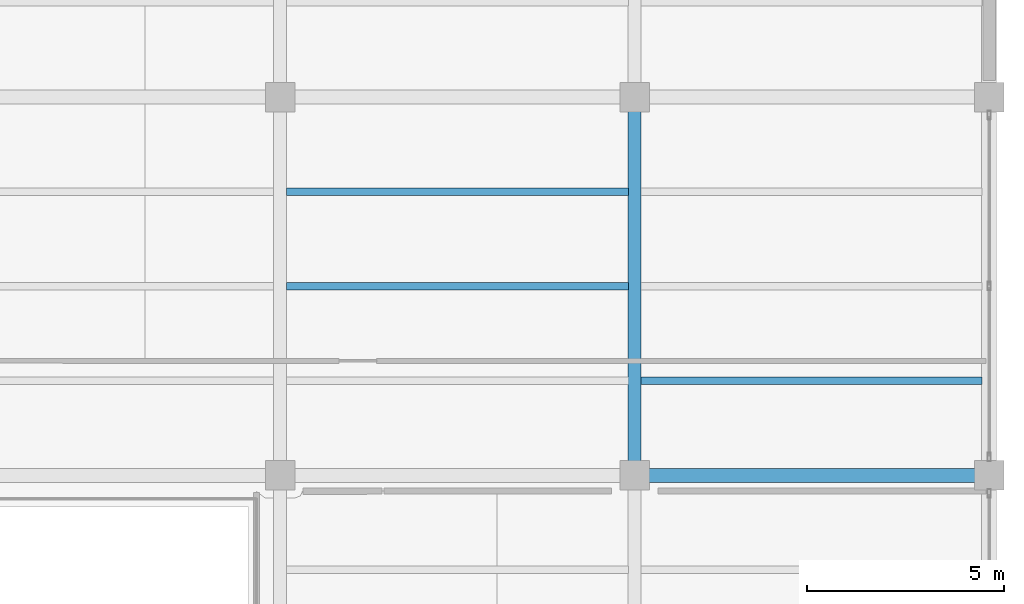
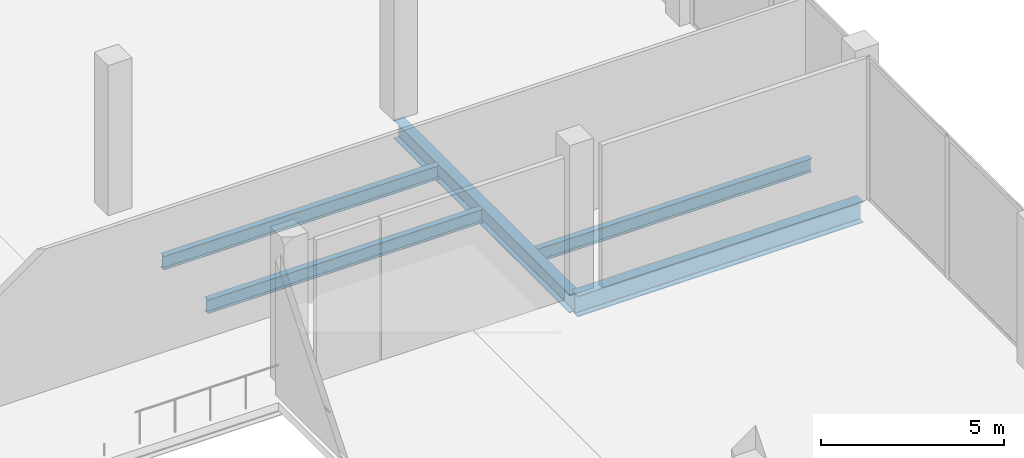
# One storey, part 21 of 47: 5 beams.
"""IFC4 building model written with IfcOpenShell, lengths in metres."""

from ifc_helpers import new_model, si_unit, direction, frame, origin, origin_2d, place, context, subcontext, project, spatial, i_section, extrude, material, material_profile, profile_set, type_object, element, save


model = new_model("IFC4")

# Units and contexts
model_context = context("Model", 3, precision=1e-05, world=origin(), true_north=direction((0.0, 1.0)))
body_context = subcontext(model_context, "Body", "Model", "MODEL_VIEW")
ifc_project = project(units=[si_unit("LENGTHUNIT", "METRE"), si_unit("AREAUNIT", "SQUARE_METRE"), si_unit("VOLUMEUNIT", "CUBIC_METRE"), si_unit("PLANEANGLEUNIT", "RADIAN"), si_unit("MASSUNIT", "GRAM", prefix="KILO")], contexts=[model_context])

# Site, building, storey
site_placement = place(None, origin())
site = spatial("IfcSite", under=ifc_project, at=site_placement, CompositionType="ELEMENT")
building_placement = place(site_placement, origin())
building = spatial("IfcBuilding", under=site, at=building_placement, Name="Qorvath Tower", CompositionType="ELEMENT")
storey_placement = place(building_placement, frame((0.0, 0.0, 12.0)))
storey = spatial("IfcBuildingStorey", under=building, at=storey_placement, Name="L02", CompositionType="ELEMENT", Elevation=12.0)

# Beams
ifc_material_1 = material(Name="Steel ASTM A992 Grade 50", Category="steel")
ifc_material_profile_1 = material_profile(ifc_material_1, i_section(OverallWidth=0.35595703125, OverallDepth=0.696044921875, WebThickness=0.015380859375, FlangeThickness=0.02490234375, FilletRadius=0.01806640625, at=origin_2d()), Name="W27x146")
ifc_profile_set_1 = profile_set([ifc_material_profile_1], Name="Steel ASTM A992 Grade 50")
beam_type_1 = type_object("IfcBeamType", Name="BM-FG4", PredefinedType="BEAM", material=ifc_profile_set_1)
beam_1_placement = place(storey_placement, frame((68.39990234375, 9.60009765625, -0.60791015625), z_axis=(1.0, 0.0, 0.0), x_axis=(0.0, 1.0, 0.0)))
element("IfcBeam", 1, at=beam_1_placement, inside=storey, type_object=beam_type_1, Name="Library E-W Girder L02-6-5", PredefinedType="BEAM", context=body_context, shape_type="SweptSolid", body=[
    extrude(i_section(OverallWidth=0.35595703125, OverallDepth=0.696044921875, WebThickness=0.015380859375, FlangeThickness=0.02490234375, FilletRadius=0.01806640625, at=origin_2d()), origin(), (0.0, 0.0, 1.0), 9.0),
])
ifc_material_2 = material(Name="Steel ASTM A992 Grade 50", Category="steel")
ifc_material_profile_2 = material_profile(ifc_material_2, i_section(OverallWidth=0.324951171875, OverallDepth=0.615966796875, WebThickness=0.013916015625, FlangeThickness=0.021484375, FilletRadius=0.01611328125, at=origin_2d()), Name="W24x117")
ifc_profile_set_2 = profile_set([ifc_material_profile_2], Name="Steel ASTM A992 Grade 50")
beam_type_2 = type_object("IfcBeamType", Name="BM-FG5", PredefinedType="BEAM", material=ifc_profile_set_2)
beam_2_placement = place(storey_placement, frame((68.39990234375, 9.60009765625, -0.568115234375), z_axis=(0.0, 1.0, 0.0), x_axis=(-1.0, 0.0, 0.0)))
element("IfcBeam", 2, at=beam_2_placement, inside=storey, type_object=beam_type_2, Name="Library N-S Girder L02-5-6", PredefinedType="BEAM", context=body_context, shape_type="SweptSolid", body=[
    extrude(i_section(OverallWidth=0.324951171875, OverallDepth=0.615966796875, WebThickness=0.013916015625, FlangeThickness=0.021484375, FilletRadius=0.01611328125, at=origin_2d()), origin(), (0.0, 0.0, 1.0), 9.599853515625),
])
ifc_material_3 = material(Name="Steel ASTM A992 Grade 50", Category="steel")
ifc_material_profile_3 = material_profile(ifc_material_3, i_section(OverallWidth=0.18994140625, OverallDepth=0.45703125, WebThickness=0.009033203125, FlangeThickness=0.014404296875, FilletRadius=0.011962890625, at=origin_2d()), Name="W18x50")
ifc_profile_set_3 = profile_set([ifc_material_profile_3], Name="Steel ASTM A992 Grade 50")
beam_type_3 = type_object("IfcBeamType", Name="BM-FJ2", PredefinedType="JOIST", material=ifc_profile_set_3)
beam_3_placement = place(storey_placement, frame((68.560546875, 12.0, -0.488525390625), z_axis=(1.0, 0.0, 0.0), x_axis=(0.0, 1.0, 0.0)))
element("IfcBeam", 3, at=beam_3_placement, inside=storey, type_object=beam_type_3, Name="Library Stack Joist L02-6.1-5", PredefinedType="JOIST", context=body_context, shape_type="SweptSolid", body=[
    extrude(i_section(OverallWidth=0.18994140625, OverallDepth=0.45703125, WebThickness=0.009033203125, FlangeThickness=0.014404296875, FilletRadius=0.011962890625, at=origin_2d()), origin(), (0.0, 0.0, 1.0), 8.65087890625),
])
for number, where, z_axis, x_axis, name in (
    (4, (59.560546875, 14.39990234375, -0.488525390625), (1.0, 0.0, 0.0), (0.0, 1.0, 0.0), "Library Stack Joist L02-6.2-4"),
    (5, (59.560546875, 16.800048828125, -0.488525390625), (1.0, 0.0, 0.0), (0.0, 1.0, 0.0), "Library Stack Joist L02-6.3-4"),
):
    element("IfcBeam", number, at=place(storey_placement, frame(where, z_axis=z_axis, x_axis=x_axis)), inside=storey, type_object=beam_type_3, Name=name, PredefinedType="JOIST", context=body_context, shape_type="SweptSolid", body=[
        extrude(i_section(OverallWidth=0.18994140625, OverallDepth=0.45703125, WebThickness=0.009033203125, FlangeThickness=0.014404296875, FilletRadius=0.011962890625, at=origin_2d()), origin(), (0.0, 0.0, 1.0), 8.678955078125),
    ])

save(model, "model.ifc")
